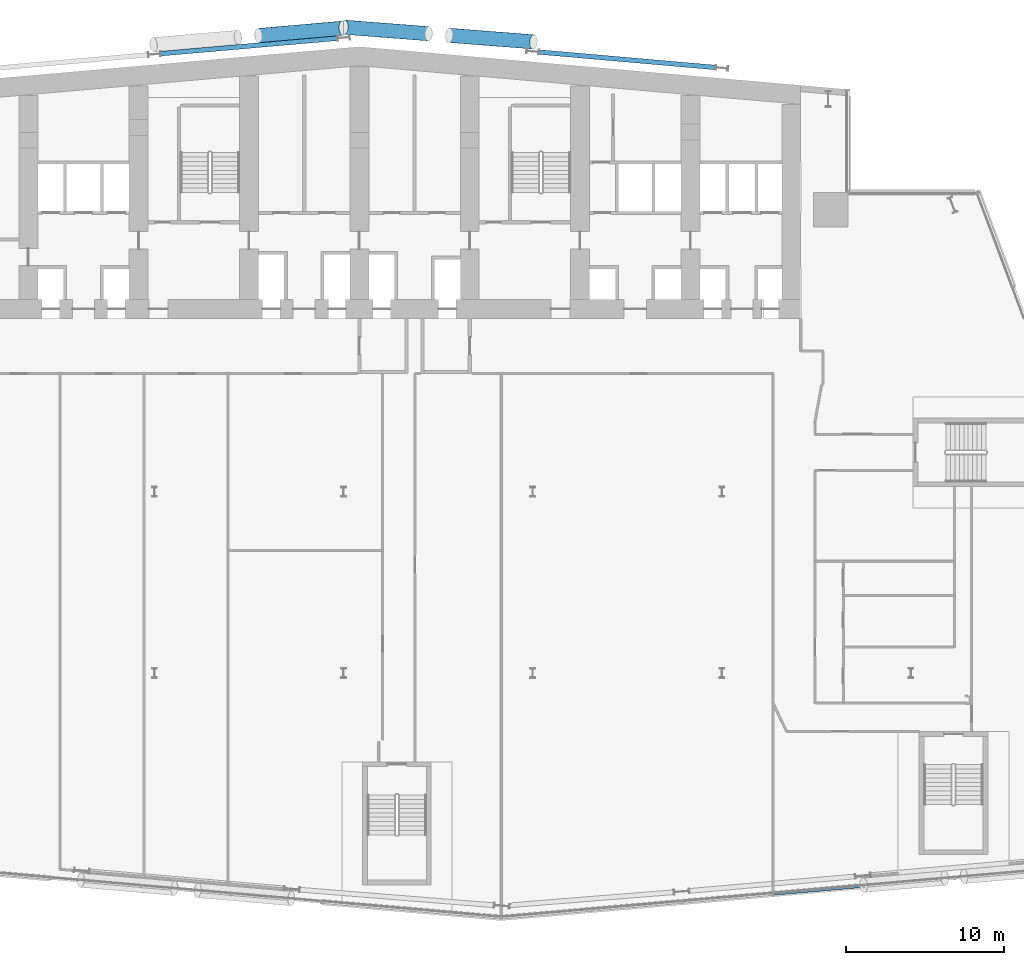
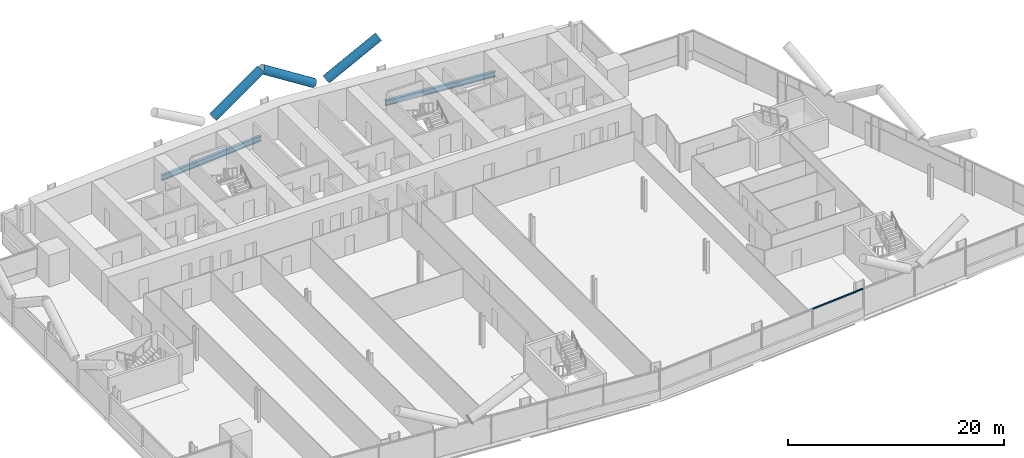
# One storey, part 8 of 25: 4 members, 2 beams, 1 element without a shape of its own.
"""IFC4 building model written with IfcOpenShell, lengths in metres."""

from ifc_helpers import new_model, si_unit, direction, frame, origin, origin_2d, place, context, subcontext, project, spatial, rectangle, hollow_circle, i_section, extrude, material, material_profile, profile_set, type_object, element, aggregate, save


model = new_model("IFC4")

# Units and contexts
model_context = context("Model", 3, precision=1e-05, world=origin(), true_north=direction((0.0, 1.0)))
body_context = subcontext(model_context, "Body", "Model", "MODEL_VIEW")
ifc_project = project(units=[si_unit("LENGTHUNIT", "METRE"), si_unit("AREAUNIT", "SQUARE_METRE"), si_unit("VOLUMEUNIT", "CUBIC_METRE"), si_unit("PLANEANGLEUNIT", "RADIAN"), si_unit("MASSUNIT", "GRAM", prefix="KILO")], contexts=[model_context])

# Site, building, storey
site_placement = place(None, origin())
site = spatial("IfcSite", under=ifc_project, at=site_placement, CompositionType="ELEMENT")
building_placement = place(site_placement, origin())
building = spatial("IfcBuilding", under=site, at=building_placement, Name="Wharfspan Tower", CompositionType="ELEMENT")
storey_placement = place(building_placement, frame((0.0, 0.0, 70.300049)))
storey = spatial("IfcBuildingStorey", under=building, at=storey_placement, Name="L14", CompositionType="ELEMENT", Elevation=70.300049)

# Beams
ifc_material_1 = material(Name="Steel S355J2", Category="steel")
ifc_material_profile_1 = material_profile(ifc_material_1, i_section(OverallWidth=0.300049, OverallDepth=0.600098, WebThickness=0.015381, FlangeThickness=0.030029, FilletRadius=0.0271, at=origin_2d()))
ifc_profile_set_1 = profile_set([ifc_material_profile_1], Name="Steel S355J2")
beam_type = type_object("IfcBeamType", Name="Edge beam HEB 600", PredefinedType="SPANDREL", material=ifc_profile_set_1)
for number, where, z_axis, x_axis, name in (
    (1, (59.598633, 49.919922, -0.699951), (-0.996194, 0.087165, 0.0), (-0.087165, -0.996194, 0.0), "Edge beam N2 L14 R.5 to R.4"),
    (2, (35.598633, 51.774414, -0.699951), (-0.996196, -0.087143, 0.0), (0.087143, -0.996196, 0.0), "Edge beam N1 L14 R.3 to R.2"),
):
    element("IfcBeam", number, at=place(storey_placement, frame(where, z_axis=z_axis, x_axis=x_axis)), inside=storey, type_object=beam_type, Name=name, PredefinedType="SPANDREL", context=body_context, shape_type="SweptSolid", body=[
        extrude(i_section(OverallWidth=0.300049, OverallDepth=0.600098, WebThickness=0.015381, FlangeThickness=0.030029, FilletRadius=0.0271, at=origin_2d()), origin(), (0.0, 0.0, 1.0), 11.23999),
    ])

# Members
ifc_material_2 = material(Name="Steel S460NH", Category="steel")
ifc_material_profile_2 = material_profile(ifc_material_2, hollow_circle(Radius=0.457031, WallThickness=0.040039, at=origin_2d()))
ifc_profile_set_2 = profile_set([ifc_material_profile_2], Name="Steel S460NH")
member_type_1 = type_object("IfcMemberType", Name="Mega brace CHS 914x40", PredefinedType="BRACE", material=ifc_profile_set_2)
member_1_placement = place(storey_placement, frame((30.597656, 51.944824, 3.290283), z_axis=(0.855094, 0.074809, 0.513048), x_axis=(-0.087154, 0.996195, 1e-06)))
element("IfcMember", 3, at=member_1_placement, inside=storey, type_object=member_type_1, Name="Mega brace N7 L14 part 2", PredefinedType="BRACE", context=body_context, shape_type="SweptSolid", body=[
    extrude(hollow_circle(Radius=0.457031, WallThickness=0.040039, at=origin_2d()), origin(), (0.0, 0.0, 1.0), 6.256104),
])
for number, where, z_axis, x_axis, name in (
    (4, (42.696533, 51.959961, 3.290039), (0.85551, -0.066472, 0.513501), (0.077467, 0.996995, -3e-06), "Mega brace N8 L14 part 2"),
    (5, (41.396484, 52.060791, 3.290039), (-0.85551, 0.066472, 0.513501), (-0.077467, -0.996995, -3e-06), "Mega brace N8 L14 part 4"),
):
    element("IfcMember", number, at=place(storey_placement, frame(where, z_axis=z_axis, x_axis=x_axis)), inside=storey, type_object=member_type_1, Name=name, PredefinedType="BRACE", context=body_context, shape_type="SweptSolid", body=[
        extrude(hollow_circle(Radius=0.457031, WallThickness=0.040039, at=origin_2d()), origin(), (0.0, 0.0, 1.0), 6.251221),
    ])

# Curtain wall, member
ifc_material_3 = material(Name="Aluminium 6063-T6", Category="aluminium")
curtain_wall_type = type_object("IfcCurtainWallType", Name="CURTAIN WALL FACETED FRONT", PredefinedType="NOTDEFINED", material=ifc_material_3)
curtain_wall_placement = place(storey_placement, origin())
curtain_wall = element("IfcCurtainWall", 6, at=curtain_wall_placement, inside=storey, type_object=curtain_wall_type, Name="Curtain wall S2", PredefinedType="NOTDEFINED")
ifc_material_profile_3 = material_profile(ifc_material_3, rectangle(XDim=0.159912, YDim=0.080078, at=origin_2d()))
ifc_profile_set_3 = profile_set([ifc_material_profile_3], Name="Aluminium 6063-T6")
member_type_2 = type_object("IfcMemberType", Name="TRANSOM FACETED FRONT 80x160", PredefinedType="USERDEFINED", material=ifc_profile_set_3)
member_2_placement = place(storey_placement, frame((63.279785, -2.512695, 3.159912), z_axis=(0.996195, 0.087148, 0.0), x_axis=(-0.087148, 0.996195, 0.0)))
member_2 = element("IfcMember", 7, at=member_2_placement, type_object=member_type_2, Name="Curtain wall S2 transom 4", ObjectType="TRANSOM", PredefinedType="USERDEFINED", context=body_context, shape_type="SweptSolid", body=[
    extrude(rectangle(XDim=0.159912, YDim=0.080078, at=origin_2d()), origin(), (0.0, 0.0, 1.0), 5.712158),
])
aggregate(curtain_wall, [member_2])

save(model, "model.ifc")
